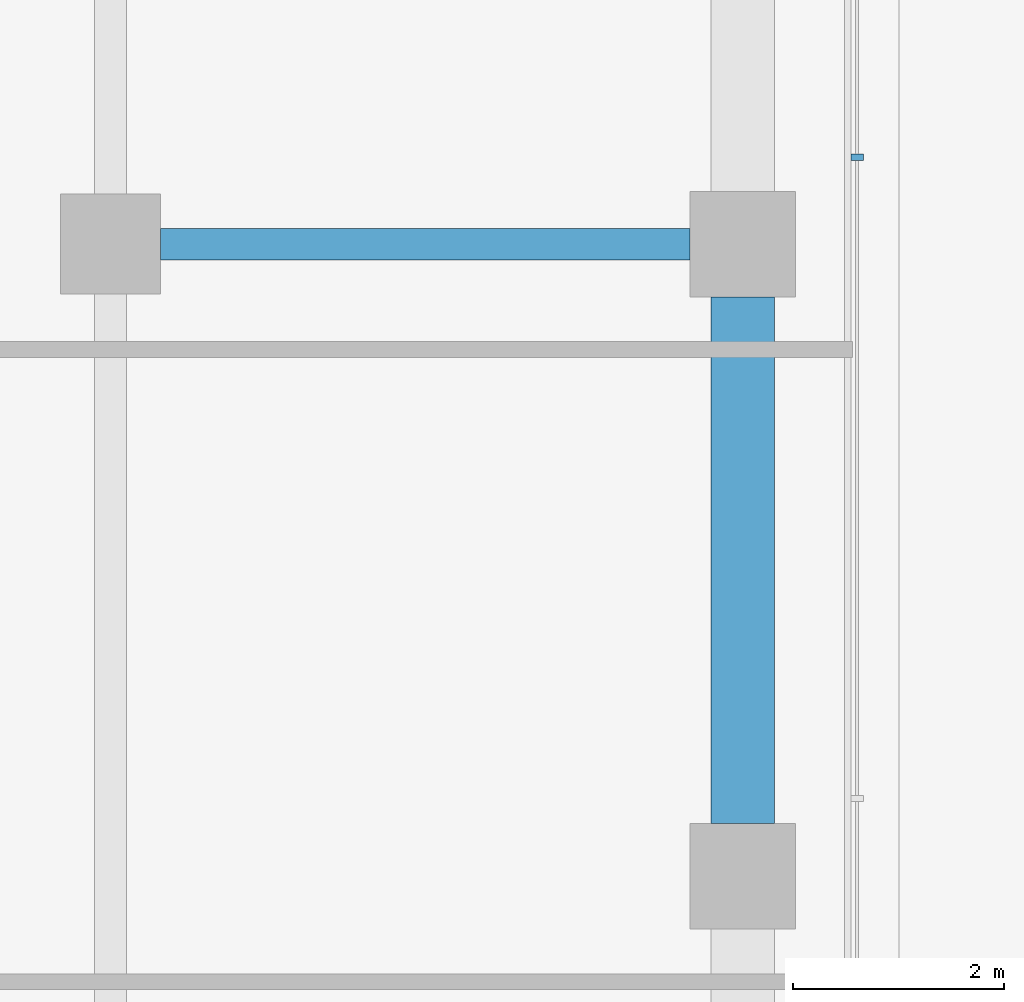
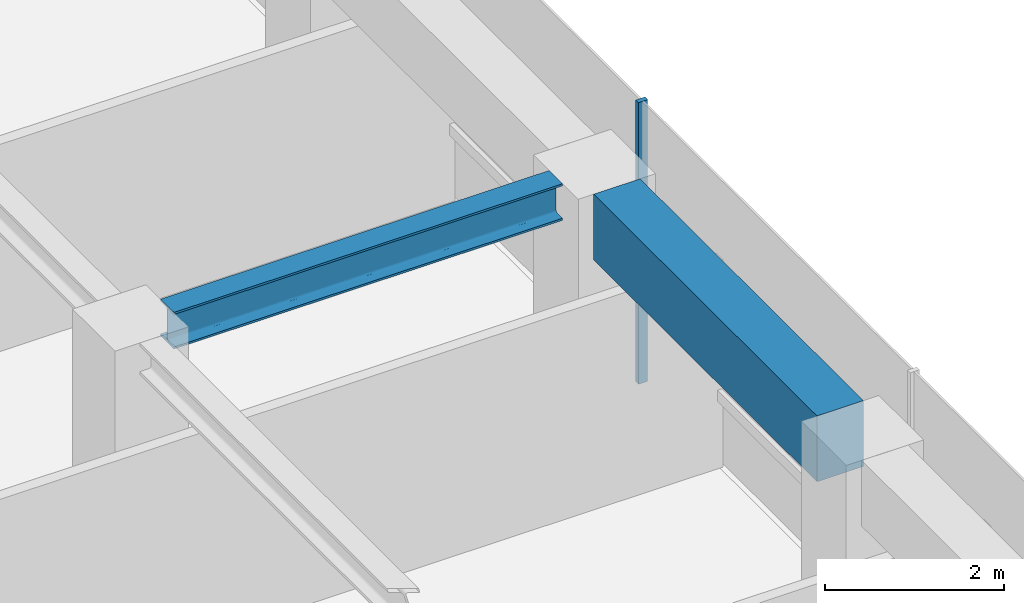
# One storey, part 15 of 28: 2 beams, 1 member, 1 element without a shape of its own.
"""IFC4 building model written with IfcOpenShell, lengths in metres."""

from ifc_helpers import new_model, si_unit, direction, frame, origin, origin_2d, place, context, subcontext, project, spatial, rectangle, i_section, extrude, material, layer, layer_set, material_profile, profile_set, type_object, element, aggregate, save


model = new_model("IFC4")

# Units and contexts
model_context = context("Model", 3, precision=1e-05, world=origin(), true_north=direction((0.0, 1.0)))
body_context = subcontext(model_context, "Body", "Model", "MODEL_VIEW")
ifc_project = project(units=[si_unit("LENGTHUNIT", "METRE"), si_unit("AREAUNIT", "SQUARE_METRE"), si_unit("VOLUMEUNIT", "CUBIC_METRE"), si_unit("PLANEANGLEUNIT", "RADIAN"), si_unit("MASSUNIT", "GRAM", prefix="KILO")], contexts=[model_context])

# Site, building, storey
site_placement = place(None, origin())
site = spatial("IfcSite", under=ifc_project, at=site_placement, CompositionType="ELEMENT")
building_placement = place(site_placement, origin())
building = spatial("IfcBuilding", under=site, at=building_placement, Name="Welwitschia Terrace Campus", CompositionType="ELEMENT")
storey_placement = place(building_placement, frame((0.0, 0.0, 87.800048828125)))
storey = spatial("IfcBuildingStorey", under=building, at=storey_placement, Name="L19", CompositionType="ELEMENT", Elevation=87.800048828125)

# Curtain wall, member
ifc_material_1 = material(Name="Bronze anodised aluminium", Category="aluminium")
ifc_layer = layer(ifc_material_1, 0.1201171875)
ifc_layer_set = layer_set([ifc_layer], Name="Bronze anodised aluminium")
curtain_wall_type = type_object("IfcCurtainWallType", Name="Curtain wall CW2 tower 6000", PredefinedType="NOTDEFINED", material=ifc_layer_set)
curtain_wall_placement = place(storey_placement, origin())
curtain_wall = element("IfcCurtainWall", 1, at=curtain_wall_placement, inside=storey, type_object=curtain_wall_type, Name="CW L19.11.0", PredefinedType="NOTDEFINED")
ifc_material_2 = material(Name="Bronze anodised aluminium", Category="aluminium")
ifc_material_profile_1 = material_profile(ifc_material_2, rectangle(XDim=0.1201171875, YDim=0.06005859375, at=origin_2d()))
ifc_profile_set_1 = profile_set([ifc_material_profile_1], Name="Bronze anodised aluminium")
member_type = type_object("IfcMemberType", Name="Mullion 60x120", PredefinedType="MULLION", material=ifc_profile_set_1)
member_placement = place(storey_placement, frame((25.0859375, 52.82568359375, 0.0), z_axis=(0.0, 0.0, 1.0), x_axis=(-1.0, 0.0, 0.0)))
member = element("IfcMember", 2, at=member_placement, type_object=member_type, Name="Mullion L19.11.0.3", PredefinedType="MULLION", context=body_context, shape_type="SweptSolid", body=[
    extrude(rectangle(XDim=0.1201171875, YDim=0.06005859375, at=origin_2d()), origin(), (0.0, 0.0, 1.0), 3.849853515625),
])
aggregate(curtain_wall, [member])

# Beams
ifc_material_3 = material(Name="Steel S355", Category="steel")
ifc_material_profile_2 = material_profile(ifc_material_3, i_section(OverallWidth=0.300048828125, OverallDepth=0.5, WebThickness=0.014404296875, FlangeThickness=0.028076171875, FilletRadius=0.027099609375, at=origin_2d()))
ifc_profile_set_2 = profile_set([ifc_material_profile_2], Name="Steel S355")
beam_type_1 = type_object("IfcBeamType", Name="Primary beam HE 500 B", PredefinedType="BEAM", material=ifc_profile_set_2)
beam_1_placement = place(storey_placement, frame((23.49951171875, 52.0, 3.599853515625), z_axis=(-1.0, 0.0, 0.0), x_axis=(0.0, -1.0, 0.0)))
element("IfcBeam", 3, at=beam_1_placement, inside=storey, type_object=beam_type_1, Name="Primary beam PB3", PredefinedType="BEAM", context=body_context, shape_type="SweptSolid", body=[
    extrude(i_section(OverallWidth=0.300048828125, OverallDepth=0.5, WebThickness=0.014404296875, FlangeThickness=0.028076171875, FilletRadius=0.027099609375, at=origin_2d()), origin(), (0.0, 0.0, 1.0), 5.02392578125),
])
ifc_material_4 = material(Name="Concrete C60/75", Category="concrete")
ifc_material_profile_3 = material_profile(ifc_material_4, rectangle(XDim=0.60009765625, YDim=0.89990234375, at=origin_2d()))
ifc_profile_set_3 = profile_set([ifc_material_profile_3], Name="Concrete C60/75")
beam_type_2 = type_object("IfcBeamType", Name="Ring spandrel 600x900", PredefinedType="SPANDREL", material=ifc_profile_set_3)
beam_2_placement = place(storey_placement, frame((24.0, 46.50048828125, 3.39990234375), z_axis=(0.0, 1.0, 0.0), x_axis=(-1.0, 0.0, 0.0)))
element("IfcBeam", 4, at=beam_2_placement, inside=storey, type_object=beam_type_2, Name="Spandrel SP2", PredefinedType="SPANDREL", context=body_context, shape_type="SweptSolid", body=[
    extrude(rectangle(XDim=0.60009765625, YDim=0.89990234375, at=origin_2d()), origin(), (0.0, 0.0, 1.0), 4.9990234375),
])

save(model, "model.ifc")
